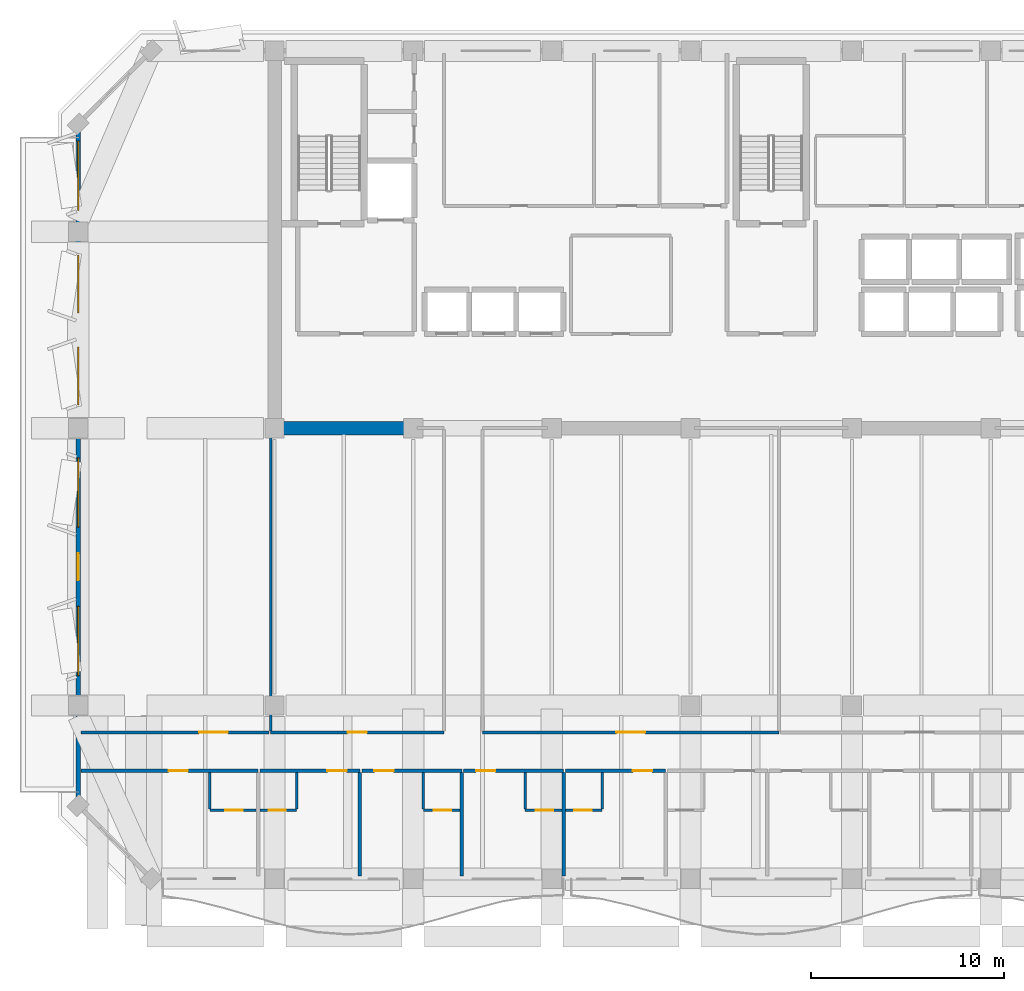
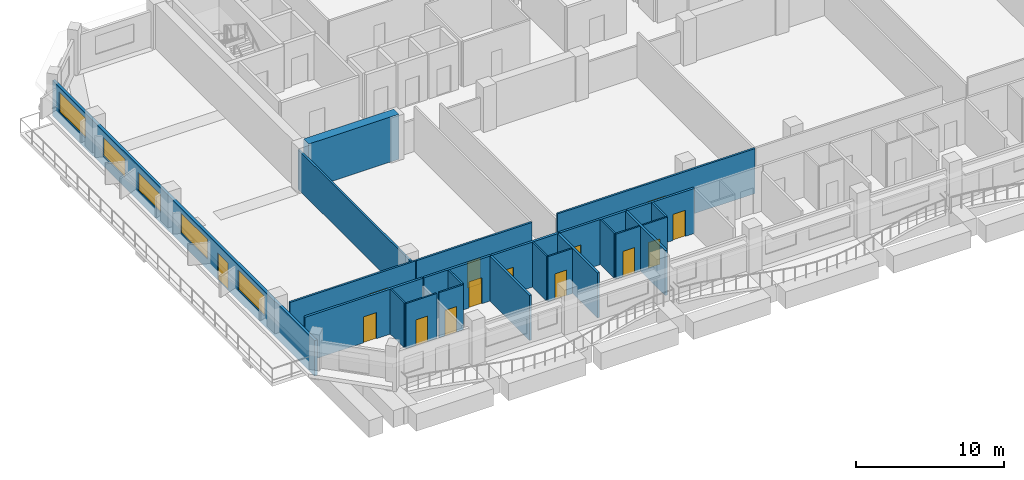
# One storey, part 4 of 13: 24 walls, 14 doors, 5 windows, 19 openings.
"""IFC4 building model written with IfcOpenShell, lengths in metres."""

from ifc_helpers import new_model, si_unit, direction, frame, frame_2d, origin, place, context, subcontext, project, spatial, rectangle, extrude, material, layer, layer_set, type_object, element, fill, save


model = new_model("IFC4")

# Units and contexts
model_context = context("Model", 3, precision=1e-05, world=origin(), true_north=direction((0.0, 1.0)))
body_context = subcontext(model_context, "Body", "Model", "MODEL_VIEW")
ifc_project = project(units=[si_unit("LENGTHUNIT", "METRE"), si_unit("AREAUNIT", "SQUARE_METRE"), si_unit("VOLUMEUNIT", "CUBIC_METRE"), si_unit("PLANEANGLEUNIT", "RADIAN"), si_unit("MASSUNIT", "GRAM", prefix="KILO")], contexts=[model_context])

# Site, building, storey
site_placement = place(None, origin())
site = spatial("IfcSite", under=ifc_project, at=site_placement, CompositionType="ELEMENT")
building_placement = place(site_placement, origin())
building = spatial("IfcBuilding", under=site, at=building_placement, Name="Kaelvorn Grand Hotel", CompositionType="ELEMENT")
storey_placement = place(building_placement, frame((0.0, 0.0, 229.14990234375)))
storey = spatial("IfcBuildingStorey", under=building, at=storey_placement, Name="L56", CompositionType="ELEMENT", Elevation=229.14990234375)

# Wall
ifc_material_1 = material(Name="Concrete C50/60", Category="concrete")
ifc_layer_1 = layer(ifc_material_1, 0.699951171875)
ifc_layer_set_1 = layer_set([ifc_layer_1], Name="Concrete C50/60")
wall_type_1 = type_object("IfcWallType", Name="WL-CORE-700-C50", PredefinedType="SHEAR", material=ifc_layer_set_1)
wall_1_placement = place(storey_placement, frame((16.554931640625, 29.39990234375, 0.0), z_axis=(0.0, 0.0, 1.0), x_axis=(1.0, 0.0, 0.0)))
element("IfcWall", 1, at=wall_1_placement, inside=storey, type_object=wall_type_1, Name="L56 Rear-Core Coupled Shear Pier S1", PredefinedType="SHEAR", context=body_context, shape_type="SweptSolid", body=[
    extrude(rectangle(XDim=7.045166015625, YDim=0.699951171875, at=frame_2d((3.5224609375, 0.0))), origin(), (0.0, 0.0, 1.0), 3.710205078125),
])

# Wall, openings, door, windows
ifc_material_2 = material(Name="Concrete C40/50", Category="concrete")
ifc_layer_2 = layer(ifc_material_2, 0.219970703125)
ifc_layer_set_2 = layer_set([ifc_layer_2], Name="Concrete C40/50")
wall_type_2 = type_object("IfcWallType", Name="WL-EXT-220-C40", PredefinedType="SOLIDWALL", material=ifc_layer_set_2)
wall_2_placement = place(storey_placement, frame((6.0, 45.199951171875, 0.0), z_axis=(0.0, 0.0, 1.0), x_axis=(0.0, -1.0, 0.0)))
wall_2 = element("IfcWall", 2, at=wall_2_placement, inside=storey, type_object=wall_type_2, Name="L56 Exterior Architectural Concrete Wall 07", PredefinedType="SOLIDWALL", context=body_context, shape_type="SweptSolid", body=[
    extrude(rectangle(XDim=35.39990234375, YDim=0.219970703125, at=frame_2d((17.699951171875, 0.0))), origin(), (0.0, 0.0, 1.0), 2.91015625),
])
opening_1_placement = place(wall_2_placement, frame((22.300048828125, 0.0, 0.0)))
opening_1 = element("IfcOpeningElement", 3, at=opening_1_placement, cuts=wall_2, Name="Opening DE3", PredefinedType="OPENING", context=body_context, shape_type="SweptSolid", body=[
    extrude(rectangle(XDim=1.39990234375, YDim=2.199951171875, at=frame_2d((0.699951171875, 1.10009765625))), frame((0.0, 0.1201171875, 0.0), z_axis=(0.0, -1.0, 0.0), x_axis=(1.0, 0.0, 0.0)), (0.0, 0.0, 1.0), 0.239990234375),
])
opening_2_placement = place(wall_2_placement, frame((25.06005859375, 0.0, 0.85009765625)))
opening_2 = element("IfcOpeningElement", 4, at=opening_2_placement, cuts=wall_2, Name="Opening W3", PredefinedType="OPENING", context=body_context, shape_type="SweptSolid", body=[
    extrude(rectangle(XDim=3.60009765625, YDim=1.64990234375, at=frame_2d((1.800048828125, 0.824951171875))), frame((0.0, 0.1201171875, 0.0), z_axis=(0.0, -1.0, 0.0), x_axis=(1.0, 0.0, 0.0)), (0.0, 0.0, 1.0), 0.239990234375),
])
opening_3_placement = place(wall_2_placement, frame((17.340087890625, 0.0, 0.85009765625)))
opening_3 = element("IfcOpeningElement", 5, at=opening_3_placement, cuts=wall_2, Name="Opening W3", PredefinedType="OPENING", context=body_context, shape_type="SweptSolid", body=[
    extrude(rectangle(XDim=3.60009765625, YDim=1.64990234375, at=frame_2d((1.800048828125, 0.824951171875))), frame((0.0, 0.1201171875, 0.0), z_axis=(0.0, -1.0, 0.0), x_axis=(1.0, 0.0, 0.0)), (0.0, 0.0, 1.0), 0.239990234375),
])
opening_4_placement = place(wall_2_placement, frame((11.5849609375, 0.0, 0.85009765625)))
opening_4 = element("IfcOpeningElement", 6, at=opening_4_placement, cuts=wall_2, Name="Opening W5", PredefinedType="OPENING", context=body_context, shape_type="SweptSolid", body=[
    extrude(rectangle(XDim=3.0, YDim=1.5, at=frame_2d((1.5, 0.75))), frame((0.0, 0.1201171875, 0.0), z_axis=(0.0, -1.0, 0.0), x_axis=(1.0, 0.0, 0.0)), (0.0, 0.0, 1.0), 0.239990234375),
])
opening_5_placement = place(wall_2_placement, frame((6.81494140625, 0.0, 0.85009765625)))
opening_5 = element("IfcOpeningElement", 7, at=opening_5_placement, cuts=wall_2, Name="Opening W5", PredefinedType="OPENING", context=body_context, shape_type="SweptSolid", body=[
    extrude(rectangle(XDim=3.0, YDim=1.5, at=frame_2d((1.5, 0.75))), frame((0.0, 0.1201171875, 0.0), z_axis=(0.0, -1.0, 0.0), x_axis=(1.0, 0.0, 0.0)), (0.0, 0.0, 1.0), 0.239990234375),
])
opening_6_placement = place(wall_2_placement, frame((0.885009765625, 0.0, 0.85009765625)))
opening_6 = element("IfcOpeningElement", 8, at=opening_6_placement, cuts=wall_2, Name="Opening W3", PredefinedType="OPENING", context=body_context, shape_type="SweptSolid", body=[
    extrude(rectangle(XDim=3.60009765625, YDim=1.64990234375, at=frame_2d((1.800048828125, 0.824951171875))), frame((0.0, 0.1201171875, 0.0), z_axis=(0.0, -1.0, 0.0), x_axis=(1.0, 0.0, 0.0)), (0.0, 0.0, 1.0), 0.239990234375),
])
ifc_material_3 = material(Name="Anodised Aluminium", Category="aluminium")
door_type_1 = type_object("IfcDoorType", Name="DR-EXT-TERR-1400x2200", OperationType="NOTDEFINED", PredefinedType="DOOR", material=ifc_material_3)
door_1_placement = place(opening_1_placement, origin())
door_1 = element("IfcDoor", 9, at=door_1_placement, inside=storey, type_object=door_type_1, Name="L56 West Setback Terrace Step-Free Door DE3-W", OperationType="SINGLE_SWING_LEFT", OverallHeight=2.199951171875, OverallWidth=1.39990234375, PredefinedType="DOOR", context=body_context, shape_type="SweptSolid", body=[
    extrude(rectangle(XDim=1.39990234375, YDim=2.199951171875, at=frame_2d((0.699951171875, 1.10009765625))), frame((0.0, 0.02490234375, 0.0), z_axis=(0.0, -1.0, 0.0), x_axis=(1.0, 0.0, 0.0)), (0.0, 0.0, 1.0), 0.050048828125),
])
fill(opening_1, door_1)
ifc_material_4 = material(Name="Laminated Low-E Glass", Category="glass")
window_type_1 = type_object("IfcWindowType", Name="WIN-NTH-3000x1500", PartitioningType="SINGLE_PANEL", PredefinedType="WINDOW", material=ifc_material_4)
window_1_placement = place(opening_4_placement, origin())
window_1 = element("IfcWindow", 10, at=window_1_placement, inside=storey, type_object=window_type_1, Name="L56 W Wing Tilted-Frame Ribbon Window W03", OverallHeight=1.5, OverallWidth=3.0, PartitioningType="SINGLE_PANEL", PredefinedType="WINDOW", context=body_context, shape_type="SweptSolid", body=[
    extrude(rectangle(XDim=3.0, YDim=1.5, at=frame_2d((1.5, 0.75))), frame((0.0, 0.030029296875, 0.0), z_axis=(0.0, -1.0, 0.0), x_axis=(1.0, 0.0, 0.0)), (0.0, 0.0, 1.0), 0.06005859375),
])
fill(opening_4, window_1)
window_2_placement = place(opening_5_placement, origin())
window_2 = element("IfcWindow", 11, at=window_2_placement, inside=storey, type_object=window_type_1, Name="L56 W Wing Tilted-Frame Ribbon Window W04", OverallHeight=1.5, OverallWidth=3.0, PartitioningType="SINGLE_PANEL", PredefinedType="WINDOW", context=body_context, shape_type="SweptSolid", body=[
    extrude(rectangle(XDim=3.0, YDim=1.5, at=frame_2d((1.5, 0.75))), frame((0.0, 0.030029296875, 0.0), z_axis=(0.0, -1.0, 0.0), x_axis=(1.0, 0.0, 0.0)), (0.0, 0.0, 1.0), 0.06005859375),
])
fill(opening_5, window_2)
window_type_2 = type_object("IfcWindowType", Name="WIN-RIB-3600x1750", PartitioningType="SINGLE_PANEL", PredefinedType="WINDOW", material=ifc_material_4)
window_3_placement = place(opening_2_placement, origin())
window_3 = element("IfcWindow", 12, at=window_3_placement, inside=storey, type_object=window_type_2, Name="L56 W Wing Tilted-Frame Ribbon Window W01", OverallHeight=1.64990234375, OverallWidth=3.60009765625, PartitioningType="SINGLE_PANEL", PredefinedType="WINDOW", context=body_context, shape_type="SweptSolid", body=[
    extrude(rectangle(XDim=3.60009765625, YDim=1.64990234375, at=frame_2d((1.800048828125, 0.824951171875))), frame((0.0, 0.030029296875, 0.0), z_axis=(0.0, -1.0, 0.0), x_axis=(1.0, 0.0, 0.0)), (0.0, 0.0, 1.0), 0.06005859375),
])
fill(opening_2, window_3)
window_4_placement = place(opening_3_placement, origin())
window_4 = element("IfcWindow", 13, at=window_4_placement, inside=storey, type_object=window_type_2, Name="L56 W Wing Tilted-Frame Ribbon Window W02", OverallHeight=1.64990234375, OverallWidth=3.60009765625, PartitioningType="SINGLE_PANEL", PredefinedType="WINDOW", context=body_context, shape_type="SweptSolid", body=[
    extrude(rectangle(XDim=3.60009765625, YDim=1.64990234375, at=frame_2d((1.800048828125, 0.824951171875))), frame((0.0, 0.030029296875, 0.0), z_axis=(0.0, -1.0, 0.0), x_axis=(1.0, 0.0, 0.0)), (0.0, 0.0, 1.0), 0.06005859375),
])
fill(opening_3, window_4)
window_5_placement = place(opening_6_placement, origin())
window_5 = element("IfcWindow", 14, at=window_5_placement, inside=storey, type_object=window_type_2, Name="L56 W Wing Tilted-Frame Ribbon Window W05", OverallHeight=1.64990234375, OverallWidth=3.60009765625, PartitioningType="SINGLE_PANEL", PredefinedType="WINDOW", context=body_context, shape_type="SweptSolid", body=[
    extrude(rectangle(XDim=3.60009765625, YDim=1.64990234375, at=frame_2d((1.800048828125, 0.824951171875))), frame((0.0, 0.030029296875, 0.0), z_axis=(0.0, -1.0, 0.0), x_axis=(1.0, 0.0, 0.0)), (0.0, 0.0, 1.0), 0.06005859375),
])
fill(opening_6, window_5)

# Wall, opening, door
ifc_material_5 = material(Name="Moisture-Resistant Tile & Stud Board")
ifc_layer_3 = layer(ifc_material_5, 0.125)
ifc_layer_set_3 = layer_set([ifc_layer_3], Name="Moisture-Resistant Tile & Stud Board")
wall_type_3 = type_object("IfcWallType", Name="WL-PART-125-WET", PredefinedType="PARTITIONING", material=ifc_layer_set_3)
wall_3_placement = place(storey_placement, frame((12.841796875, 9.550048828125, 0.0), z_axis=(0.0, 0.0, 1.0), x_axis=(1.0, 0.0, 0.0)))
wall_3 = element("IfcWall", 15, at=wall_3_placement, inside=storey, type_object=wall_type_3, Name="L56 En-suite Bathroom L56-01 S Partition", PredefinedType="PARTITIONING", context=body_context, shape_type="SweptSolid", body=[
    extrude(rectangle(XDim=2.40478515625, YDim=0.125, at=frame_2d((1.202392578125, 0.0))), origin(), (0.0, 0.0, 1.0), 3.710205078125),
])
opening_7_placement = place(wall_3_placement, frame((0.800048828125, 0.0, 0.0)))
opening_7 = element("IfcOpeningElement", 16, at=opening_7_placement, cuts=wall_3, Name="Opening DI4", PredefinedType="OPENING", context=body_context, shape_type="SweptSolid", body=[
    extrude(rectangle(XDim=0.89990234375, YDim=2.10009765625, at=frame_2d((0.449951171875, 1.050048828125))), frame((0.0, 0.072509765625, 0.0), z_axis=(0.0, -1.0, 0.0), x_axis=(1.0, 0.0, 0.0)), (0.0, 0.0, 1.0), 0.14501953125),
])
ifc_material_6 = material(Name="Timber Veneer Leaf", Category="wood")
door_type_2 = type_object("IfcDoorType", Name="DR-INT-BATH-900x2100", OperationType="NOTDEFINED", PredefinedType="DOOR", material=ifc_material_6)
door_2_placement = place(opening_7_placement, origin())
door_2 = element("IfcDoor", 17, at=door_2_placement, inside=storey, type_object=door_type_2, Name="L56 En-suite Bathroom L56-01 Door", OperationType="SINGLE_SWING_RIGHT", OverallHeight=2.10009765625, OverallWidth=0.89990234375, PredefinedType="DOOR", context=body_context, shape_type="SweptSolid", body=[
    extrude(rectangle(XDim=0.89990234375, YDim=2.10009765625, at=frame_2d((0.449951171875, 1.050048828125))), frame((0.0, 0.02490234375, 0.0), z_axis=(0.0, -1.0, 0.0), x_axis=(1.0, 0.0, 0.0)), (0.0, 0.0, 1.0), 0.050048828125),
])
fill(opening_7, door_2)

# Wall
wall_4_placement = place(storey_placement, frame((12.841796875, 9.617431640625, 0.0), z_axis=(0.0, 0.0, 1.0), x_axis=(0.0, 1.0, 0.0)))
element("IfcWall", 18, at=wall_4_placement, inside=storey, type_object=wall_type_3, Name="L56 En-suite Bathroom L56-01 W Partition", PredefinedType="PARTITIONING", context=body_context, shape_type="SweptSolid", body=[
    extrude(rectangle(XDim=1.887451171875, YDim=0.125, at=frame_2d((0.94384765625, 0.0))), origin(), (0.0, 0.0, 1.0), 3.710205078125),
])

# Wall, opening, door
wall_5_placement = place(storey_placement, frame((15.436767578125, 9.550048828125, 0.0), z_axis=(0.0, 0.0, 1.0), x_axis=(1.0, 0.0, 0.0)))
wall_5 = element("IfcWall", 19, at=wall_5_placement, inside=storey, type_object=wall_type_3, Name="L56 En-suite Bathroom L56-02 S Partition", PredefinedType="PARTITIONING", context=body_context, shape_type="SweptSolid", body=[
    extrude(rectangle(XDim=1.905029296875, YDim=0.125, at=frame_2d((0.95263671875, 0.0))), origin(), (0.0, 0.0, 1.0), 3.710205078125),
])
opening_8_placement = place(wall_5_placement, frame((0.455078125, 0.0, 0.0)))
opening_8 = element("IfcOpeningElement", 20, at=opening_8_placement, cuts=wall_5, Name="Opening DI4", PredefinedType="OPENING", context=body_context, shape_type="SweptSolid", body=[
    extrude(rectangle(XDim=0.89990234375, YDim=2.10009765625, at=frame_2d((0.449951171875, 1.050048828125))), frame((0.0, 0.072509765625, 0.0), z_axis=(0.0, -1.0, 0.0), x_axis=(1.0, 0.0, 0.0)), (0.0, 0.0, 1.0), 0.14501953125),
])
door_3_placement = place(opening_8_placement, origin())
door_3 = element("IfcDoor", 21, at=door_3_placement, inside=storey, type_object=door_type_2, Name="L56 En-suite Bathroom L56-02 Door", OperationType="SINGLE_SWING_RIGHT", OverallHeight=2.10009765625, OverallWidth=0.89990234375, PredefinedType="DOOR", context=body_context, shape_type="SweptSolid", body=[
    extrude(rectangle(XDim=0.89990234375, YDim=2.10009765625, at=frame_2d((0.449951171875, 1.050048828125))), frame((0.0, 0.02490234375, 0.0), z_axis=(0.0, -1.0, 0.0), x_axis=(1.0, 0.0, 0.0)), (0.0, 0.0, 1.0), 0.050048828125),
])
fill(opening_8, door_3)

# Wall
wall_6_placement = place(storey_placement, frame((17.341796875, 9.617431640625, 0.0), z_axis=(0.0, 0.0, 1.0), x_axis=(0.0, 1.0, 0.0)))
element("IfcWall", 22, at=wall_6_placement, inside=storey, type_object=wall_type_3, Name="L56 En-suite Bathroom L56-02 E Partition", PredefinedType="PARTITIONING", context=body_context, shape_type="SweptSolid", body=[
    extrude(rectangle(XDim=1.887451171875, YDim=0.125, at=frame_2d((0.94384765625, 0.0))), origin(), (0.0, 0.0, 1.0), 3.710205078125),
])

# Wall, opening, door
wall_7_placement = place(storey_placement, frame((23.92529296875, 9.550048828125, 0.0), z_axis=(0.0, 0.0, 1.0), x_axis=(1.0, 0.0, 0.0)))
wall_7 = element("IfcWall", 23, at=wall_7_placement, inside=storey, type_object=wall_type_3, Name="L56 En-suite Bathroom L56-03 S Partition", PredefinedType="PARTITIONING", context=body_context, shape_type="SweptSolid", body=[
    extrude(rectangle(XDim=1.90478515625, YDim=0.125, at=frame_2d((0.952392578125, 0.0))), origin(), (0.0, 0.0, 1.0), 3.710205078125),
])
opening_9_placement = place(wall_7_placement, frame((0.550048828125, 0.0, 0.0)))
opening_9 = element("IfcOpeningElement", 24, at=opening_9_placement, cuts=wall_7, Name="Opening DI4", PredefinedType="OPENING", context=body_context, shape_type="SweptSolid", body=[
    extrude(rectangle(XDim=0.89990234375, YDim=2.10009765625, at=frame_2d((0.449951171875, 1.050048828125))), frame((0.0, 0.072509765625, 0.0), z_axis=(0.0, -1.0, 0.0), x_axis=(1.0, 0.0, 0.0)), (0.0, 0.0, 1.0), 0.14501953125),
])
door_4_placement = place(opening_9_placement, origin())
door_4 = element("IfcDoor", 25, at=door_4_placement, inside=storey, type_object=door_type_2, Name="L56 En-suite Bathroom L56-03 Door", OperationType="SINGLE_SWING_RIGHT", OverallHeight=2.10009765625, OverallWidth=0.89990234375, PredefinedType="DOOR", context=body_context, shape_type="SweptSolid", body=[
    extrude(rectangle(XDim=0.89990234375, YDim=2.10009765625, at=frame_2d((0.449951171875, 1.050048828125))), frame((0.0, 0.02490234375, 0.0), z_axis=(0.0, -1.0, 0.0), x_axis=(1.0, 0.0, 0.0)), (0.0, 0.0, 1.0), 0.050048828125),
])
fill(opening_9, door_4)

# Wall
wall_8_placement = place(storey_placement, frame((23.92529296875, 9.617431640625, 0.0), z_axis=(0.0, 0.0, 1.0), x_axis=(0.0, 1.0, 0.0)))
element("IfcWall", 26, at=wall_8_placement, inside=storey, type_object=wall_type_3, Name="L56 En-suite Bathroom L56-03 W Partition", PredefinedType="PARTITIONING", context=body_context, shape_type="SweptSolid", body=[
    extrude(rectangle(XDim=1.887451171875, YDim=0.125, at=frame_2d((0.94384765625, 0.0))), origin(), (0.0, 0.0, 1.0), 3.710205078125),
])

# Wall, opening, door
wall_9_placement = place(storey_placement, frame((29.216796875, 9.550048828125, 0.0), z_axis=(0.0, 0.0, 1.0), x_axis=(1.0, 0.0, 0.0)))
wall_9 = element("IfcWall", 27, at=wall_9_placement, inside=storey, type_object=wall_type_3, Name="L56 En-suite Bathroom L56-04 S Partition", PredefinedType="PARTITIONING", context=body_context, shape_type="SweptSolid", body=[
    extrude(rectangle(XDim=1.905029296875, YDim=0.125, at=frame_2d((0.95263671875, 0.0))), origin(), (0.0, 0.0, 1.0), 3.710205078125),
])
opening_10_placement = place(wall_9_placement, frame((0.550048828125, 0.0, 0.0)))
opening_10 = element("IfcOpeningElement", 28, at=opening_10_placement, cuts=wall_9, Name="Opening DI4", PredefinedType="OPENING", context=body_context, shape_type="SweptSolid", body=[
    extrude(rectangle(XDim=0.89990234375, YDim=2.10009765625, at=frame_2d((0.449951171875, 1.050048828125))), frame((0.0, 0.072509765625, 0.0), z_axis=(0.0, -1.0, 0.0), x_axis=(1.0, 0.0, 0.0)), (0.0, 0.0, 1.0), 0.14501953125),
])
door_5_placement = place(opening_10_placement, origin())
door_5 = element("IfcDoor", 29, at=door_5_placement, inside=storey, type_object=door_type_2, Name="L56 En-suite Bathroom L56-04 Door", OperationType="SINGLE_SWING_RIGHT", OverallHeight=2.10009765625, OverallWidth=0.89990234375, PredefinedType="DOOR", context=body_context, shape_type="SweptSolid", body=[
    extrude(rectangle(XDim=0.89990234375, YDim=2.10009765625, at=frame_2d((0.449951171875, 1.050048828125))), frame((0.0, 0.02490234375, 0.0), z_axis=(0.0, -1.0, 0.0), x_axis=(1.0, 0.0, 0.0)), (0.0, 0.0, 1.0), 0.050048828125),
])
fill(opening_10, door_5)

# Wall
wall_10_placement = place(storey_placement, frame((29.216796875, 9.617431640625, 0.0), z_axis=(0.0, 0.0, 1.0), x_axis=(0.0, 1.0, 0.0)))
element("IfcWall", 30, at=wall_10_placement, inside=storey, type_object=wall_type_3, Name="L56 En-suite Bathroom L56-04 W Partition", PredefinedType="PARTITIONING", context=body_context, shape_type="SweptSolid", body=[
    extrude(rectangle(XDim=1.887451171875, YDim=0.125, at=frame_2d((0.94384765625, 0.0))), origin(), (0.0, 0.0, 1.0), 3.710205078125),
])

# Wall, opening, door
wall_11_placement = place(storey_placement, frame((31.31201171875, 9.550048828125, 0.0), z_axis=(0.0, 0.0, 1.0), x_axis=(1.0, 0.0, 0.0)))
wall_11 = element("IfcWall", 31, at=wall_11_placement, inside=storey, type_object=wall_type_3, Name="L56 En-suite Bathroom L56-05 S Partition", PredefinedType="PARTITIONING", context=body_context, shape_type="SweptSolid", body=[
    extrude(rectangle(XDim=1.90478515625, YDim=0.125, at=frame_2d((0.952392578125, 0.0))), origin(), (0.0, 0.0, 1.0), 3.710205078125),
])
opening_11_placement = place(wall_11_placement, frame((0.455078125, 0.0, 0.0)))
opening_11 = element("IfcOpeningElement", 32, at=opening_11_placement, cuts=wall_11, Name="Opening DI4", PredefinedType="OPENING", context=body_context, shape_type="SweptSolid", body=[
    extrude(rectangle(XDim=0.89990234375, YDim=2.10009765625, at=frame_2d((0.449951171875, 1.050048828125))), frame((0.0, 0.072509765625, 0.0), z_axis=(0.0, -1.0, 0.0), x_axis=(1.0, 0.0, 0.0)), (0.0, 0.0, 1.0), 0.14501953125),
])
door_6_placement = place(opening_11_placement, origin())
door_6 = element("IfcDoor", 33, at=door_6_placement, inside=storey, type_object=door_type_2, Name="L56 En-suite Bathroom L56-05 Door", OperationType="SINGLE_SWING_RIGHT", OverallHeight=2.10009765625, OverallWidth=0.89990234375, PredefinedType="DOOR", context=body_context, shape_type="SweptSolid", body=[
    extrude(rectangle(XDim=0.89990234375, YDim=2.10009765625, at=frame_2d((0.449951171875, 1.050048828125))), frame((0.0, 0.02490234375, 0.0), z_axis=(0.0, -1.0, 0.0), x_axis=(1.0, 0.0, 0.0)), (0.0, 0.0, 1.0), 0.050048828125),
])
fill(opening_11, door_6)

# Wall
wall_12_placement = place(storey_placement, frame((33.216796875, 9.617431640625, 0.0), z_axis=(0.0, 0.0, 1.0), x_axis=(0.0, 1.0, 0.0)))
element("IfcWall", 34, at=wall_12_placement, inside=storey, type_object=wall_type_3, Name="L56 En-suite Bathroom L56-05 E Partition", PredefinedType="PARTITIONING", context=body_context, shape_type="SweptSolid", body=[
    extrude(rectangle(XDim=1.887451171875, YDim=0.125, at=frame_2d((0.94384765625, 0.0))), origin(), (0.0, 0.0, 1.0), 3.710205078125),
])

# Wall, opening, door
ifc_material_7 = material(Name="Acoustic Gypsum & Stud Partition")
ifc_layer_4 = layer(ifc_material_7, 0.14990234375)
ifc_layer_set_4 = layer_set([ifc_layer_4], Name="Acoustic Gypsum & Stud Partition")
wall_type_4 = type_object("IfcWallType", Name="WL-PART-150-EI60", PredefinedType="PARTITIONING", material=ifc_layer_set_4)
wall_13_placement = place(storey_placement, frame((16.0, 13.60009765625, 0.0), z_axis=(0.0, 0.0, 1.0), x_axis=(1.0, 0.0, 0.0)))
wall_13 = element("IfcWall", 35, at=wall_13_placement, inside=storey, type_object=wall_type_4, Name="L56 Music & Recital Salon S Partition", PredefinedType="PARTITIONING", context=body_context, shape_type="SweptSolid", body=[
    extrude(rectangle(XDim=9.0, YDim=0.14990234375, at=frame_2d((4.5, 0.0))), origin(), (0.0, 0.0, 1.0), 3.710205078125),
])
opening_12_placement = place(wall_13_placement, frame((4.0, 0.0, 0.0)))
opening_12 = element("IfcOpeningElement", 36, at=opening_12_placement, cuts=wall_13, Name="Opening DI3", PredefinedType="OPENING", context=body_context, shape_type="SweptSolid", body=[
    extrude(rectangle(XDim=1.0, YDim=2.14990234375, at=frame_2d((0.5, 1.074951171875))), frame((0.0, 0.0849609375, 0.0), z_axis=(0.0, -1.0, 0.0), x_axis=(1.0, 0.0, 0.0)), (0.0, 0.0, 1.0), 0.169921875),
])
ifc_material_8 = material(Name="Timber Veneer Fire Leaf", Category="wood")
door_type_3 = type_object("IfcDoorType", Name="DR-INT-GUEST-1000x2150", OperationType="NOTDEFINED", PredefinedType="DOOR", material=ifc_material_8)
door_7_placement = place(opening_12_placement, origin())
door_7 = element("IfcDoor", 37, at=door_7_placement, inside=storey, type_object=door_type_3, Name="L56 Music & Recital Salon Door", OperationType="SINGLE_SWING_LEFT", OverallHeight=2.14990234375, OverallWidth=1.0, PredefinedType="DOOR", context=body_context, shape_type="SweptSolid", body=[
    extrude(rectangle(XDim=1.0, YDim=2.14990234375, at=frame_2d((0.5, 1.074951171875))), frame((0.0, 0.02490234375, 0.0), z_axis=(0.0, -1.0, 0.0), x_axis=(1.0, 0.0, 0.0)), (0.0, 0.0, 1.0), 0.050048828125),
])
fill(opening_12, door_7)

# Wall
wall_14_placement = place(storey_placement, frame((16.0, 13.679931640625, 0.0), z_axis=(0.0, 0.0, 1.0), x_axis=(0.0, 1.0, 0.0)))
element("IfcWall", 38, at=wall_14_placement, inside=storey, type_object=wall_type_4, Name="L56 Music & Recital Salon W Partition", PredefinedType="PARTITIONING", context=body_context, shape_type="SweptSolid", body=[
    extrude(rectangle(XDim=15.7099609375, YDim=0.14990234375, at=frame_2d((7.85498046875, 0.0))), origin(), (0.0, 0.0, 1.0), 3.260009765625),
])

# Wall, opening, door
wall_15_placement = place(storey_placement, frame((27.0, 13.60009765625, 0.0), z_axis=(0.0, 0.0, 1.0), x_axis=(1.0, 0.0, 0.0)))
wall_15 = element("IfcWall", 39, at=wall_15_placement, inside=storey, type_object=wall_type_4, Name="L56 Banquet Prep Kitchen S Partition", PredefinedType="PARTITIONING", context=body_context, shape_type="SweptSolid", body=[
    extrude(rectangle(XDim=15.39990234375, YDim=0.14990234375, at=frame_2d((7.699951171875, 0.0))), origin(), (0.0, 0.0, 1.0), 3.710205078125),
])
opening_13_placement = place(wall_15_placement, frame((6.949951171875, 0.0, 0.0)))
opening_13 = element("IfcOpeningElement", 40, at=opening_13_placement, cuts=wall_15, Name="Opening DI5", PredefinedType="OPENING", context=body_context, shape_type="SweptSolid", body=[
    extrude(rectangle(XDim=1.5, YDim=2.25, at=frame_2d((0.75, 1.125))), frame((0.0, 0.0849609375, 0.0), z_axis=(0.0, -1.0, 0.0), x_axis=(1.0, 0.0, 0.0)), (0.0, 0.0, 1.0), 0.169921875),
])
door_type_4 = type_object("IfcDoorType", Name="DR-INT-SALON-1500x2250", OperationType="DOUBLE_DOOR_SINGLE_SWING", PredefinedType="DOOR", material=ifc_material_8)
door_8_placement = place(opening_13_placement, origin())
door_8 = element("IfcDoor", 41, at=door_8_placement, inside=storey, type_object=door_type_4, Name="L56 Banquet Prep Kitchen Door", OperationType="DOUBLE_DOOR_SINGLE_SWING", OverallHeight=2.25, OverallWidth=1.5, PredefinedType="DOOR", context=body_context, shape_type="SweptSolid", body=[
    extrude(rectangle(XDim=1.5, YDim=2.25, at=frame_2d((0.75, 1.125))), frame((0.0, 0.02490234375, 0.0), z_axis=(0.0, -1.0, 0.0), x_axis=(1.0, 0.0, 0.0)), (0.0, 0.0, 1.0), 0.050048828125),
])
fill(opening_13, door_8)

wall_16_placement = place(storey_placement, frame((6.14990234375, 13.60009765625, 0.0), z_axis=(0.0, 0.0, 1.0), x_axis=(1.0, 0.0, 0.0)))
wall_16 = element("IfcWall", 42, at=wall_16_placement, inside=storey, type_object=wall_type_4, Name="L56 West Sky Diplomatic Chancery Office S Partition", PredefinedType="PARTITIONING", context=body_context, shape_type="SweptSolid", body=[
    extrude(rectangle(XDim=9.77001953125, YDim=0.14990234375, at=frame_2d((4.885009765625, 0.0))), origin(), (0.0, 0.0, 1.0), 3.710205078125),
])
opening_14_placement = place(wall_16_placement, frame((6.1298828125, 0.0, 0.0)))
opening_14 = element("IfcOpeningElement", 43, at=opening_14_placement, cuts=wall_16, Name="Opening DI5", PredefinedType="OPENING", context=body_context, shape_type="SweptSolid", body=[
    extrude(rectangle(XDim=1.5, YDim=2.25, at=frame_2d((0.75, 1.125))), frame((0.0, 0.0849609375, 0.0), z_axis=(0.0, -1.0, 0.0), x_axis=(1.0, 0.0, 0.0)), (0.0, 0.0, 1.0), 0.169921875),
])
door_9_placement = place(opening_14_placement, origin())
door_9 = element("IfcDoor", 44, at=door_9_placement, inside=storey, type_object=door_type_4, Name="L56 West Sky Diplomatic Chancery Office Door", OperationType="DOUBLE_DOOR_SINGLE_SWING", OverallHeight=2.25, OverallWidth=1.5, PredefinedType="DOOR", context=body_context, shape_type="SweptSolid", body=[
    extrude(rectangle(XDim=1.5, YDim=2.25, at=frame_2d((0.75, 1.125))), frame((0.0, 0.02490234375, 0.0), z_axis=(0.0, -1.0, 0.0), x_axis=(1.0, 0.0, 0.0)), (0.0, 0.0, 1.0), 0.050048828125),
])
fill(opening_14, door_9)

ifc_layer_5 = layer(ifc_material_7, 0.179931640625)
ifc_layer_set_5 = layer_set([ifc_layer_5], Name="Acoustic Gypsum & Stud Partition")
wall_type_5 = type_object("IfcWallType", Name="WL-PART-180-EI60", PredefinedType="PARTITIONING", material=ifc_layer_set_5)
wall_17_placement = place(storey_placement, frame((6.14990234375, 11.60009765625, 0.0), z_axis=(0.0, 0.0, 1.0), x_axis=(1.0, 0.0, 0.0)))
wall_17 = element("IfcWall", 45, at=wall_17_placement, inside=storey, type_object=wall_type_5, Name="L56 Ambassador Sky Suite L56-01 N Partition", PredefinedType="PARTITIONING", context=body_context, shape_type="SweptSolid", body=[
    extrude(rectangle(XDim=9.19189453125, YDim=0.179931640625, at=frame_2d((4.595947265625, 0.0))), origin(), (0.0, 0.0, 1.0), 3.710205078125),
])
opening_15_placement = place(wall_17_placement, frame((4.550048828125, 0.0, 0.0)))
opening_15 = element("IfcOpeningElement", 46, at=opening_15_placement, cuts=wall_17, Name="Opening DI3", PredefinedType="OPENING", context=body_context, shape_type="SweptSolid", body=[
    extrude(rectangle(XDim=1.0, YDim=2.14990234375, at=frame_2d((0.5, 1.074951171875))), frame((0.0, 0.10009765625, 0.0), z_axis=(0.0, -1.0, 0.0), x_axis=(1.0, 0.0, 0.0)), (0.0, 0.0, 1.0), 0.199951171875),
])
door_10_placement = place(opening_15_placement, origin())
door_10 = element("IfcDoor", 47, at=door_10_placement, inside=storey, type_object=door_type_3, Name="L56 Ambassador Sky Suite L56-01 Door", OperationType="SINGLE_SWING_LEFT", OverallHeight=2.14990234375, OverallWidth=1.0, PredefinedType="DOOR", context=body_context, shape_type="SweptSolid", body=[
    extrude(rectangle(XDim=1.0, YDim=2.14990234375, at=frame_2d((0.5, 1.074951171875))), frame((0.0, 0.02490234375, 0.0), z_axis=(0.0, -1.0, 0.0), x_axis=(1.0, 0.0, 0.0)), (0.0, 0.0, 1.0), 0.050048828125),
])
fill(opening_15, door_10)

wall_18_placement = place(storey_placement, frame((15.436767578125, 11.60009765625, 0.0), z_axis=(0.0, 0.0, 1.0), x_axis=(1.0, 0.0, 0.0)))
wall_18 = element("IfcWall", 48, at=wall_18_placement, inside=storey, type_object=wall_type_5, Name="L56 Ambassador Guest Room L56-02 N Partition", PredefinedType="PARTITIONING", context=body_context, shape_type="SweptSolid", body=[
    extrude(rectangle(XDim=5.196533203125, YDim=0.179931640625, at=frame_2d((2.59814453125, 0.0))), origin(), (0.0, 0.0, 1.0), 3.710205078125),
])
opening_16_placement = place(wall_18_placement, frame((3.5009765625, 0.0, 0.0)))
opening_16 = element("IfcOpeningElement", 49, at=opening_16_placement, cuts=wall_18, Name="Opening DI3", PredefinedType="OPENING", context=body_context, shape_type="SweptSolid", body=[
    extrude(rectangle(XDim=1.0, YDim=2.14990234375, at=frame_2d((0.5, 1.074951171875))), frame((0.0, 0.10009765625, 0.0), z_axis=(0.0, -1.0, 0.0), x_axis=(1.0, 0.0, 0.0)), (0.0, 0.0, 1.0), 0.199951171875),
])
door_11_placement = place(opening_16_placement, origin())
door_11 = element("IfcDoor", 50, at=door_11_placement, inside=storey, type_object=door_type_3, Name="L56 Ambassador Guest Room L56-02 Door", OperationType="SINGLE_SWING_LEFT", OverallHeight=2.14990234375, OverallWidth=1.0, PredefinedType="DOOR", context=body_context, shape_type="SweptSolid", body=[
    extrude(rectangle(XDim=1.0, YDim=2.14990234375, at=frame_2d((0.5, 1.074951171875))), frame((0.0, 0.02490234375, 0.0), z_axis=(0.0, -1.0, 0.0), x_axis=(1.0, 0.0, 0.0)), (0.0, 0.0, 1.0), 0.050048828125),
])
fill(opening_16, door_11)

# Wall
wall_19_placement = place(storey_placement, frame((20.63330078125, 6.14990234375, 0.0), z_axis=(0.0, 0.0, 1.0), x_axis=(0.0, 1.0, 0.0)))
element("IfcWall", 51, at=wall_19_placement, inside=storey, type_object=wall_type_5, Name="L56 Ambassador Guest Room L56-02 E Partition", PredefinedType="PARTITIONING", context=body_context, shape_type="SweptSolid", body=[
    extrude(rectangle(XDim=5.35498046875, YDim=0.179931640625, at=frame_2d((2.677490234375, 0.0))), origin(), (0.0, 0.0, 1.0), 3.710205078125),
])

# Wall, opening, door
wall_20_placement = place(storey_placement, frame((20.728515625, 11.60009765625, 0.0), z_axis=(0.0, 0.0, 1.0), x_axis=(1.0, 0.0, 0.0)))
wall_20 = element("IfcWall", 52, at=wall_20_placement, inside=storey, type_object=wall_type_5, Name="L56 Ambassador Sky Suite L56-03 N Partition", PredefinedType="PARTITIONING", context=body_context, shape_type="SweptSolid", body=[
    extrude(rectangle(XDim=5.19677734375, YDim=0.179931640625, at=frame_2d((2.598388671875, 0.0))), origin(), (0.0, 0.0, 1.0), 3.710205078125),
])
opening_17_placement = place(wall_20_placement, frame((0.64990234375, 0.0, 0.0)))
opening_17 = element("IfcOpeningElement", 53, at=opening_17_placement, cuts=wall_20, Name="Opening DI3", PredefinedType="OPENING", context=body_context, shape_type="SweptSolid", body=[
    extrude(rectangle(XDim=1.0, YDim=2.14990234375, at=frame_2d((0.5, 1.074951171875))), frame((0.0, 0.10009765625, 0.0), z_axis=(0.0, -1.0, 0.0), x_axis=(1.0, 0.0, 0.0)), (0.0, 0.0, 1.0), 0.199951171875),
])
door_12_placement = place(opening_17_placement, origin())
door_12 = element("IfcDoor", 54, at=door_12_placement, inside=storey, type_object=door_type_3, Name="L56 Ambassador Sky Suite L56-03 Door", OperationType="SINGLE_SWING_LEFT", OverallHeight=2.14990234375, OverallWidth=1.0, PredefinedType="DOOR", context=body_context, shape_type="SweptSolid", body=[
    extrude(rectangle(XDim=1.0, YDim=2.14990234375, at=frame_2d((0.5, 1.074951171875))), frame((0.0, 0.02490234375, 0.0), z_axis=(0.0, -1.0, 0.0), x_axis=(1.0, 0.0, 0.0)), (0.0, 0.0, 1.0), 0.050048828125),
])
fill(opening_17, door_12)

# Wall
wall_21_placement = place(storey_placement, frame((25.92529296875, 6.14990234375, 0.0), z_axis=(0.0, 0.0, 1.0), x_axis=(0.0, 1.0, 0.0)))
element("IfcWall", 55, at=wall_21_placement, inside=storey, type_object=wall_type_5, Name="L56 Ambassador Sky Suite L56-03 E Partition", PredefinedType="PARTITIONING", context=body_context, shape_type="SweptSolid", body=[
    extrude(rectangle(XDim=5.35498046875, YDim=0.179931640625, at=frame_2d((2.677490234375, 0.0))), origin(), (0.0, 0.0, 1.0), 3.710205078125),
])

# Wall, opening, door
wall_22_placement = place(storey_placement, frame((26.020263671875, 11.60009765625, 0.0), z_axis=(0.0, 0.0, 1.0), x_axis=(1.0, 0.0, 0.0)))
wall_22 = element("IfcWall", 56, at=wall_22_placement, inside=storey, type_object=wall_type_5, Name="L56 Ambassador Guest Room L56-04 N Partition", PredefinedType="PARTITIONING", context=body_context, shape_type="SweptSolid", body=[
    extrude(rectangle(XDim=5.196533203125, YDim=0.179931640625, at=frame_2d((2.59814453125, 0.0))), origin(), (0.0, 0.0, 1.0), 3.710205078125),
])
opening_18_placement = place(wall_22_placement, frame((0.64990234375, 0.0, 0.0)))
opening_18 = element("IfcOpeningElement", 57, at=opening_18_placement, cuts=wall_22, Name="Opening DI3", PredefinedType="OPENING", context=body_context, shape_type="SweptSolid", body=[
    extrude(rectangle(XDim=1.0, YDim=2.14990234375, at=frame_2d((0.5, 1.074951171875))), frame((0.0, 0.10009765625, 0.0), z_axis=(0.0, -1.0, 0.0), x_axis=(1.0, 0.0, 0.0)), (0.0, 0.0, 1.0), 0.199951171875),
])
door_13_placement = place(opening_18_placement, origin())
door_13 = element("IfcDoor", 58, at=door_13_placement, inside=storey, type_object=door_type_3, Name="L56 Ambassador Guest Room L56-04 Door", OperationType="SINGLE_SWING_LEFT", OverallHeight=2.14990234375, OverallWidth=1.0, PredefinedType="DOOR", context=body_context, shape_type="SweptSolid", body=[
    extrude(rectangle(XDim=1.0, YDim=2.14990234375, at=frame_2d((0.5, 1.074951171875))), frame((0.0, 0.02490234375, 0.0), z_axis=(0.0, -1.0, 0.0), x_axis=(1.0, 0.0, 0.0)), (0.0, 0.0, 1.0), 0.050048828125),
])
fill(opening_18, door_13)

# Wall
wall_23_placement = place(storey_placement, frame((31.216796875, 6.14990234375, 0.0), z_axis=(0.0, 0.0, 1.0), x_axis=(0.0, 1.0, 0.0)))
element("IfcWall", 59, at=wall_23_placement, inside=storey, type_object=wall_type_5, Name="L56 Ambassador Guest Room L56-04 E Partition", PredefinedType="PARTITIONING", context=body_context, shape_type="SweptSolid", body=[
    extrude(rectangle(XDim=5.35498046875, YDim=0.179931640625, at=frame_2d((2.677490234375, 0.0))), origin(), (0.0, 0.0, 1.0), 3.710205078125),
])

# Wall, opening, door
wall_24_placement = place(storey_placement, frame((31.31201171875, 11.60009765625, 0.0), z_axis=(0.0, 0.0, 1.0), x_axis=(1.0, 0.0, 0.0)))
wall_24 = element("IfcWall", 60, at=wall_24_placement, inside=storey, type_object=wall_type_5, Name="L56 Ambassador Sky Suite L56-05 N Partition", PredefinedType="PARTITIONING", context=body_context, shape_type="SweptSolid", body=[
    extrude(rectangle(XDim=5.196533203125, YDim=0.179931640625, at=frame_2d((2.59814453125, 0.0))), origin(), (0.0, 0.0, 1.0), 3.710205078125),
])
opening_19_placement = place(wall_24_placement, frame((3.5009765625, 0.0, 0.0)))
opening_19 = element("IfcOpeningElement", 61, at=opening_19_placement, cuts=wall_24, Name="Opening DI3", PredefinedType="OPENING", context=body_context, shape_type="SweptSolid", body=[
    extrude(rectangle(XDim=1.0, YDim=2.14990234375, at=frame_2d((0.5, 1.074951171875))), frame((0.0, 0.10009765625, 0.0), z_axis=(0.0, -1.0, 0.0), x_axis=(1.0, 0.0, 0.0)), (0.0, 0.0, 1.0), 0.199951171875),
])
door_14_placement = place(opening_19_placement, origin())
door_14 = element("IfcDoor", 62, at=door_14_placement, inside=storey, type_object=door_type_3, Name="L56 Ambassador Sky Suite L56-05 Door", OperationType="SINGLE_SWING_LEFT", OverallHeight=2.14990234375, OverallWidth=1.0, PredefinedType="DOOR", context=body_context, shape_type="SweptSolid", body=[
    extrude(rectangle(XDim=1.0, YDim=2.14990234375, at=frame_2d((0.5, 1.074951171875))), frame((0.0, 0.02490234375, 0.0), z_axis=(0.0, -1.0, 0.0), x_axis=(1.0, 0.0, 0.0)), (0.0, 0.0, 1.0), 0.050048828125),
])
fill(opening_19, door_14)

save(model, "model.ifc")
